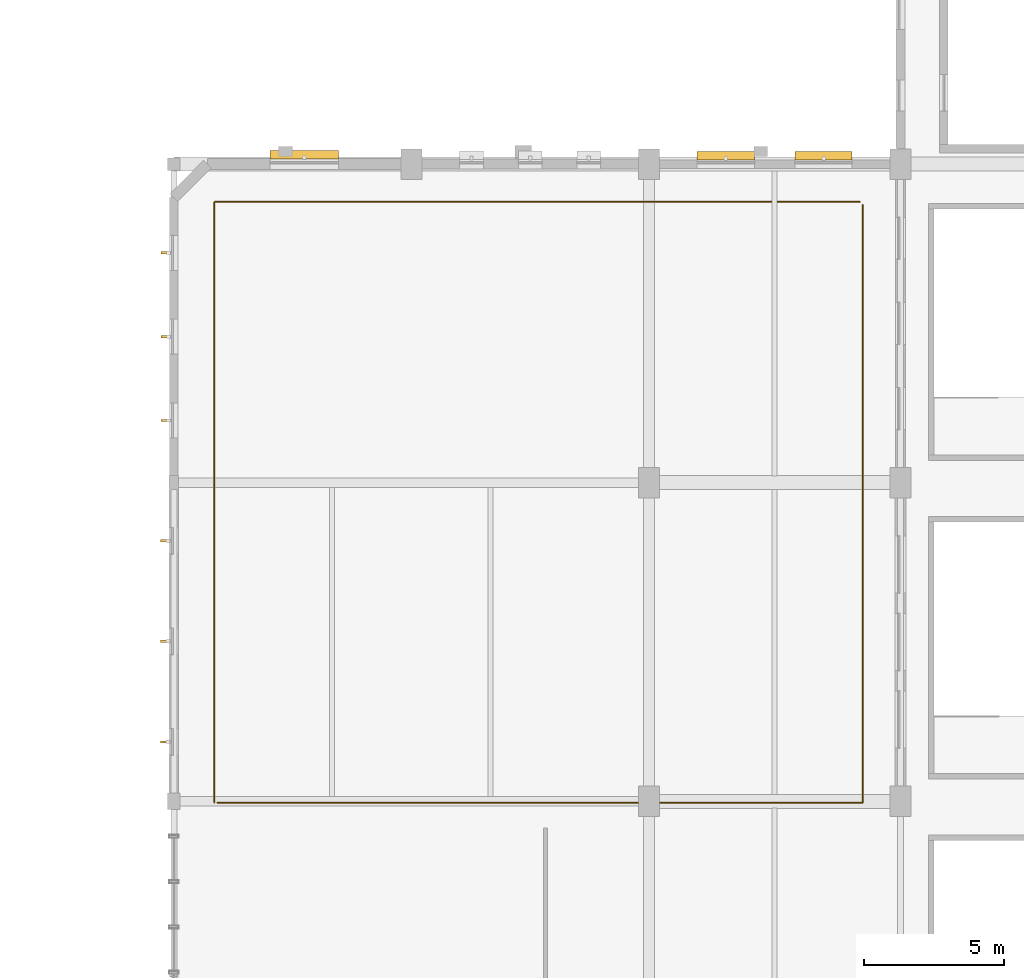
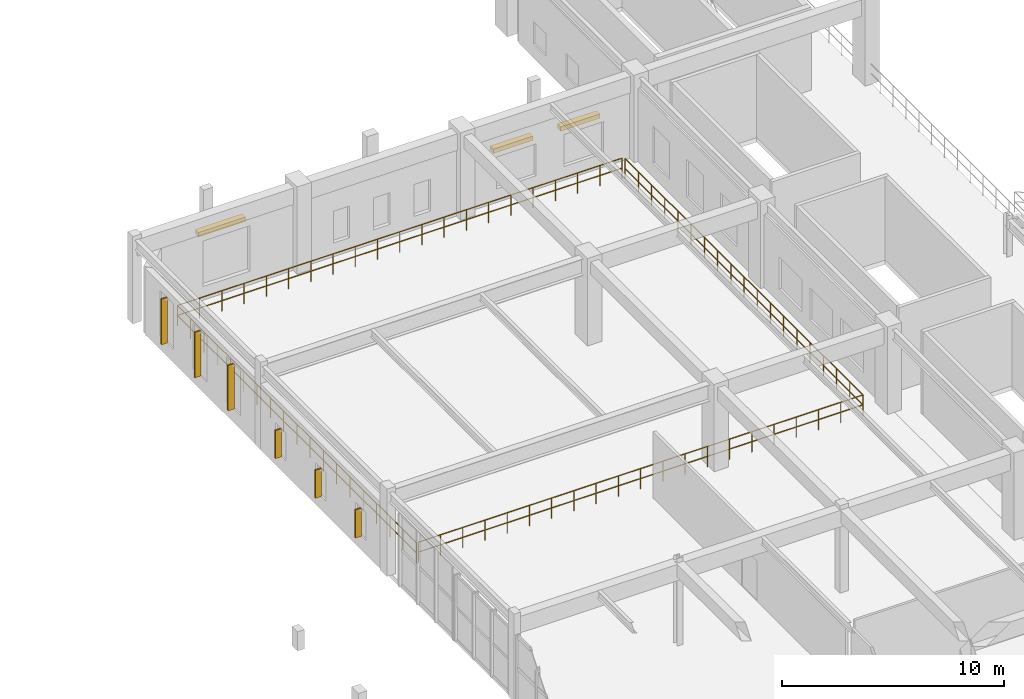
# One storey, part 101 of 106: 9 shading devices, 2 railings.
"""IFC4 building model written with IfcOpenShell, lengths in metres."""

from ifc_helpers import new_model, si_unit, direction, frame, origin, origin_2d, place, context, subcontext, project, spatial, rectangle, circle, extrude, material, layer, layer_set, type_object, element, save


model = new_model("IFC4")

# Units and contexts
model_context = context("Model", 3, precision=1e-05, world=origin(), true_north=direction((0.0, 1.0)))
body_context = subcontext(model_context, "Body", "Model", "MODEL_VIEW")
ifc_project = project(units=[si_unit("LENGTHUNIT", "METRE"), si_unit("AREAUNIT", "SQUARE_METRE"), si_unit("VOLUMEUNIT", "CUBIC_METRE"), si_unit("PLANEANGLEUNIT", "RADIAN"), si_unit("MASSUNIT", "GRAM", prefix="KILO"), si_unit("POWERUNIT", "WATT"), si_unit("THERMODYNAMICTEMPERATUREUNIT", "KELVIN")], contexts=[model_context])

# Site, building, storey
site_placement = place(None, origin())
site = spatial("IfcSite", under=ifc_project, at=site_placement, CompositionType="ELEMENT")
building_placement = place(site_placement, origin())
building = spatial("IfcBuilding", under=site, at=building_placement, Name="Kelmbourne Parkland Aquatics Centre", CompositionType="ELEMENT")
storey_placement = place(building_placement, frame((0.0, 0.0, 5.39990234375)))
storey = spatial("IfcBuildingStorey", under=building, at=storey_placement, Name="L01", CompositionType="ELEMENT", Elevation=5.39990234375)

# Railings
ifc_material_1 = material(Name="Grade 316 stainless steel and laminated glass balustrade", Category="glass")
ifc_layer = layer(ifc_material_1, 0.06005859375)
ifc_layer_set = layer_set([ifc_layer], Name="Grade 316 stainless steel and laminated glass balustrade")
railing_type = type_object("IfcRailingType", Name="RL-BL-114", PredefinedType="BALUSTRADE", material=ifc_layer_set)
railing_1_placement = place(storey_placement, frame((103.449951171875, 80.550048828125, 0.0)))
element("IfcRailing", 1, at=railing_1_placement, inside=storey, type_object=railing_type, Name="Safety balustrade BAL-L01-V4-POOL1", PredefinedType="BALUSTRADE", context=body_context, shape_type="SweptSolid", body=[
    extrude(circle(Radius=0.02392578125, at=origin_2d()), frame((0.0, 0.0, 1.11572265625), z_axis=(0.0, 1.0, 0.0), x_axis=(-1.0, 0.0, 0.0)), (0.0, 0.0, 1.0), 21.5),
    extrude(circle(Radius=0.02392578125, at=origin_2d()), frame((0.0, 0.0, 0.56982421875), z_axis=(0.0, 1.0, 0.0), x_axis=(-1.0, 0.0, 0.0)), (0.0, 0.0, 1.0), 21.5),
    extrude(circle(Radius=0.02392578125, at=origin_2d()), frame((0.0, 21.5, 1.11572265625), z_axis=(1.0, 0.0, 0.0), x_axis=(0.0, 1.0, 0.0)), (0.0, 0.0, 1.0), 23.10009765625),
    extrude(circle(Radius=0.02392578125, at=origin_2d()), frame((0.0, 21.5, 0.56982421875), z_axis=(1.0, 0.0, 0.0), x_axis=(0.0, 1.0, 0.0)), (0.0, 0.0, 1.0), 23.10009765625),
    extrude(circle(Radius=0.02099609375, at=origin_2d()), origin(), (0.0, 0.0, 1.0), 1.091796875),
    extrude(circle(Radius=0.02099609375, at=origin_2d()), frame((0.0, 1.1943359375, 0.0)), (0.0, 0.0, 1.0), 1.091796875),
    extrude(circle(Radius=0.02099609375, at=origin_2d()), frame((0.0, 2.388916015625, 0.0)), (0.0, 0.0, 1.0), 1.091796875),
    extrude(circle(Radius=0.02099609375, at=origin_2d()), frame((0.0, 3.583251953125, 0.0)), (0.0, 0.0, 1.0), 1.091796875),
    extrude(circle(Radius=0.02099609375, at=origin_2d()), frame((0.0, 4.77783203125, 0.0)), (0.0, 0.0, 1.0), 1.091796875),
    extrude(circle(Radius=0.02099609375, at=origin_2d()), frame((0.0, 5.97216796875, 0.0)), (0.0, 0.0, 1.0), 1.091796875),
    extrude(circle(Radius=0.02099609375, at=origin_2d()), frame((0.0, 7.166748046875, 0.0)), (0.0, 0.0, 1.0), 1.091796875),
    extrude(circle(Radius=0.02099609375, at=origin_2d()), frame((0.0, 8.361083984375, 0.0)), (0.0, 0.0, 1.0), 1.091796875),
    extrude(circle(Radius=0.02099609375, at=origin_2d()), frame((0.0, 9.5556640625, 0.0)), (0.0, 0.0, 1.0), 1.091796875),
    extrude(circle(Radius=0.02099609375, at=origin_2d()), frame((0.0, 10.75, 0.0)), (0.0, 0.0, 1.0), 1.091796875),
    extrude(circle(Radius=0.02099609375, at=origin_2d()), frame((0.0, 11.9443359375, 0.0)), (0.0, 0.0, 1.0), 1.091796875),
    extrude(circle(Radius=0.02099609375, at=origin_2d()), frame((0.0, 13.138916015625, 0.0)), (0.0, 0.0, 1.0), 1.091796875),
    extrude(circle(Radius=0.02099609375, at=origin_2d()), frame((0.0, 14.333251953125, 0.0)), (0.0, 0.0, 1.0), 1.091796875),
    extrude(circle(Radius=0.02099609375, at=origin_2d()), frame((0.0, 15.52783203125, 0.0)), (0.0, 0.0, 1.0), 1.091796875),
    extrude(circle(Radius=0.02099609375, at=origin_2d()), frame((0.0, 16.72216796875, 0.0)), (0.0, 0.0, 1.0), 1.091796875),
    extrude(circle(Radius=0.02099609375, at=origin_2d()), frame((0.0, 17.916748046875, 0.0)), (0.0, 0.0, 1.0), 1.091796875),
    extrude(circle(Radius=0.02099609375, at=origin_2d()), frame((0.0, 19.111083984375, 0.0)), (0.0, 0.0, 1.0), 1.091796875),
    extrude(circle(Radius=0.02099609375, at=origin_2d()), frame((0.0, 20.3056640625, 0.0)), (0.0, 0.0, 1.0), 1.091796875),
    extrude(circle(Radius=0.02099609375, at=origin_2d()), frame((0.0, 21.5, 0.0)), (0.0, 0.0, 1.0), 1.091796875),
    extrude(circle(Radius=0.02099609375, at=origin_2d()), frame((1.155029296875, 21.5, 0.0)), (0.0, 0.0, 1.0), 1.091796875),
    extrude(circle(Radius=0.02099609375, at=origin_2d()), frame((2.31005859375, 21.5, 0.0)), (0.0, 0.0, 1.0), 1.091796875),
    extrude(circle(Radius=0.02099609375, at=origin_2d()), frame((3.465087890625, 21.5, 0.0)), (0.0, 0.0, 1.0), 1.091796875),
    extrude(circle(Radius=0.02099609375, at=origin_2d()), frame((4.6201171875, 21.5, 0.0)), (0.0, 0.0, 1.0), 1.091796875),
    extrude(circle(Radius=0.02099609375, at=origin_2d()), frame((5.77490234375, 21.5, 0.0)), (0.0, 0.0, 1.0), 1.091796875),
    extrude(circle(Radius=0.02099609375, at=origin_2d()), frame((6.929931640625, 21.5, 0.0)), (0.0, 0.0, 1.0), 1.091796875),
    extrude(circle(Radius=0.02099609375, at=origin_2d()), frame((8.0849609375, 21.5, 0.0)), (0.0, 0.0, 1.0), 1.091796875),
    extrude(circle(Radius=0.02099609375, at=origin_2d()), frame((9.239990234375, 21.5, 0.0)), (0.0, 0.0, 1.0), 1.091796875),
    extrude(circle(Radius=0.02099609375, at=origin_2d()), frame((10.39501953125, 21.5, 0.0)), (0.0, 0.0, 1.0), 1.091796875),
    extrude(circle(Radius=0.02099609375, at=origin_2d()), frame((11.550048828125, 21.5, 0.0)), (0.0, 0.0, 1.0), 1.091796875),
    extrude(circle(Radius=0.02099609375, at=origin_2d()), frame((12.705078125, 21.5, 0.0)), (0.0, 0.0, 1.0), 1.091796875),
    extrude(circle(Radius=0.02099609375, at=origin_2d()), frame((13.860107421875, 21.5, 0.0)), (0.0, 0.0, 1.0), 1.091796875),
    extrude(circle(Radius=0.02099609375, at=origin_2d()), frame((15.01513671875, 21.5, 0.0)), (0.0, 0.0, 1.0), 1.091796875),
    extrude(circle(Radius=0.02099609375, at=origin_2d()), frame((16.170166015625, 21.5, 0.0)), (0.0, 0.0, 1.0), 1.091796875),
    extrude(circle(Radius=0.02099609375, at=origin_2d()), frame((17.3251953125, 21.5, 0.0)), (0.0, 0.0, 1.0), 1.091796875),
    extrude(circle(Radius=0.02099609375, at=origin_2d()), frame((18.47998046875, 21.5, 0.0)), (0.0, 0.0, 1.0), 1.091796875),
    extrude(circle(Radius=0.02099609375, at=origin_2d()), frame((19.635009765625, 21.5, 0.0)), (0.0, 0.0, 1.0), 1.091796875),
    extrude(circle(Radius=0.02099609375, at=origin_2d()), frame((20.7900390625, 21.5, 0.0)), (0.0, 0.0, 1.0), 1.091796875),
    extrude(circle(Radius=0.02099609375, at=origin_2d()), frame((21.945068359375, 21.5, 0.0)), (0.0, 0.0, 1.0), 1.091796875),
    extrude(circle(Radius=0.02099609375, at=origin_2d()), frame((23.10009765625, 21.5, 0.0)), (0.0, 0.0, 1.0), 1.091796875),
])
railing_2_placement = place(storey_placement, frame((126.64990234375, 101.949951171875, 0.0)))
element("IfcRailing", 2, at=railing_2_placement, inside=storey, type_object=railing_type, Name="Safety balustrade BAL-L01-V4-POOL2", PredefinedType="BALUSTRADE", context=body_context, shape_type="SweptSolid", body=[
    extrude(circle(Radius=0.02392578125, at=origin_2d()), frame((0.0, 0.0, 1.11572265625), z_axis=(0.0, -1.0, 0.0), x_axis=(1.0, 0.0, 0.0)), (0.0, 0.0, 1.0), 21.39990234375),
    extrude(circle(Radius=0.02392578125, at=origin_2d()), frame((0.0, 0.0, 0.56982421875), z_axis=(0.0, -1.0, 0.0), x_axis=(1.0, 0.0, 0.0)), (0.0, 0.0, 1.0), 21.39990234375),
    extrude(circle(Radius=0.02392578125, at=origin_2d()), frame((0.0, -21.39990234375, 1.11572265625), z_axis=(-1.0, 0.0, 0.0), x_axis=(0.0, -1.0, 0.0)), (0.0, 0.0, 1.0), 23.099853515625),
    extrude(circle(Radius=0.02392578125, at=origin_2d()), frame((0.0, -21.39990234375, 0.56982421875), z_axis=(-1.0, 0.0, 0.0), x_axis=(0.0, -1.0, 0.0)), (0.0, 0.0, 1.0), 23.099853515625),
    extrude(circle(Radius=0.02099609375, at=origin_2d()), origin(), (0.0, 0.0, 1.0), 1.091796875),
    extrude(circle(Radius=0.02099609375, at=origin_2d()), frame((0.0, -1.18896484375, 0.0)), (0.0, 0.0, 1.0), 1.091796875),
    extrude(circle(Radius=0.02099609375, at=origin_2d()), frame((0.0, -2.377685546875, 0.0)), (0.0, 0.0, 1.0), 1.091796875),
    extrude(circle(Radius=0.02099609375, at=origin_2d()), frame((0.0, -3.566650390625, 0.0)), (0.0, 0.0, 1.0), 1.091796875),
    extrude(circle(Radius=0.02099609375, at=origin_2d()), frame((0.0, -4.755615234375, 0.0)), (0.0, 0.0, 1.0), 1.091796875),
    extrude(circle(Radius=0.02099609375, at=origin_2d()), frame((0.0, -5.9443359375, 0.0)), (0.0, 0.0, 1.0), 1.091796875),
    extrude(circle(Radius=0.02099609375, at=origin_2d()), frame((0.0, -7.13330078125, 0.0)), (0.0, 0.0, 1.0), 1.091796875),
    extrude(circle(Radius=0.02099609375, at=origin_2d()), frame((0.0, -8.322265625, 0.0)), (0.0, 0.0, 1.0), 1.091796875),
    extrude(circle(Radius=0.02099609375, at=origin_2d()), frame((0.0, -9.510986328125, 0.0)), (0.0, 0.0, 1.0), 1.091796875),
    extrude(circle(Radius=0.02099609375, at=origin_2d()), frame((0.0, -10.699951171875, 0.0)), (0.0, 0.0, 1.0), 1.091796875),
    extrude(circle(Radius=0.02099609375, at=origin_2d()), frame((0.0, -11.888916015625, 0.0)), (0.0, 0.0, 1.0), 1.091796875),
    extrude(circle(Radius=0.02099609375, at=origin_2d()), frame((0.0, -13.07763671875, 0.0)), (0.0, 0.0, 1.0), 1.091796875),
    extrude(circle(Radius=0.02099609375, at=origin_2d()), frame((0.0, -14.2666015625, 0.0)), (0.0, 0.0, 1.0), 1.091796875),
    extrude(circle(Radius=0.02099609375, at=origin_2d()), frame((0.0, -15.45556640625, 0.0)), (0.0, 0.0, 1.0), 1.091796875),
    extrude(circle(Radius=0.02099609375, at=origin_2d()), frame((0.0, -16.644287109375, 0.0)), (0.0, 0.0, 1.0), 1.091796875),
    extrude(circle(Radius=0.02099609375, at=origin_2d()), frame((0.0, -17.833251953125, 0.0)), (0.0, 0.0, 1.0), 1.091796875),
    extrude(circle(Radius=0.02099609375, at=origin_2d()), frame((0.0, -19.022216796875, 0.0)), (0.0, 0.0, 1.0), 1.091796875),
    extrude(circle(Radius=0.02099609375, at=origin_2d()), frame((0.0, -20.2109375, 0.0)), (0.0, 0.0, 1.0), 1.091796875),
    extrude(circle(Radius=0.02099609375, at=origin_2d()), frame((0.0, -21.39990234375, 0.0)), (0.0, 0.0, 1.0), 1.091796875),
    extrude(circle(Radius=0.02099609375, at=origin_2d()), frame((-1.155029296875, -21.39990234375, 0.0)), (0.0, 0.0, 1.0), 1.091796875),
    extrude(circle(Radius=0.02099609375, at=origin_2d()), frame((-2.31005859375, -21.39990234375, 0.0)), (0.0, 0.0, 1.0), 1.091796875),
    extrude(circle(Radius=0.02099609375, at=origin_2d()), frame((-3.465087890625, -21.39990234375, 0.0)), (0.0, 0.0, 1.0), 1.091796875),
    extrude(circle(Radius=0.02099609375, at=origin_2d()), frame((-4.619873046875, -21.39990234375, 0.0)), (0.0, 0.0, 1.0), 1.091796875),
    extrude(circle(Radius=0.02099609375, at=origin_2d()), frame((-5.77490234375, -21.39990234375, 0.0)), (0.0, 0.0, 1.0), 1.091796875),
    extrude(circle(Radius=0.02099609375, at=origin_2d()), frame((-6.929931640625, -21.39990234375, 0.0)), (0.0, 0.0, 1.0), 1.091796875),
    extrude(circle(Radius=0.02099609375, at=origin_2d()), frame((-8.0849609375, -21.39990234375, 0.0)), (0.0, 0.0, 1.0), 1.091796875),
    extrude(circle(Radius=0.02099609375, at=origin_2d()), frame((-9.239990234375, -21.39990234375, 0.0)), (0.0, 0.0, 1.0), 1.091796875),
    extrude(circle(Radius=0.02099609375, at=origin_2d()), frame((-10.39501953125, -21.39990234375, 0.0)), (0.0, 0.0, 1.0), 1.091796875),
    extrude(circle(Radius=0.02099609375, at=origin_2d()), frame((-11.5498046875, -21.39990234375, 0.0)), (0.0, 0.0, 1.0), 1.091796875),
    extrude(circle(Radius=0.02099609375, at=origin_2d()), frame((-12.704833984375, -21.39990234375, 0.0)), (0.0, 0.0, 1.0), 1.091796875),
    extrude(circle(Radius=0.02099609375, at=origin_2d()), frame((-13.85986328125, -21.39990234375, 0.0)), (0.0, 0.0, 1.0), 1.091796875),
    extrude(circle(Radius=0.02099609375, at=origin_2d()), frame((-15.014892578125, -21.39990234375, 0.0)), (0.0, 0.0, 1.0), 1.091796875),
    extrude(circle(Radius=0.02099609375, at=origin_2d()), frame((-16.169921875, -21.39990234375, 0.0)), (0.0, 0.0, 1.0), 1.091796875),
    extrude(circle(Radius=0.02099609375, at=origin_2d()), frame((-17.324951171875, -21.39990234375, 0.0)), (0.0, 0.0, 1.0), 1.091796875),
    extrude(circle(Radius=0.02099609375, at=origin_2d()), frame((-18.47998046875, -21.39990234375, 0.0)), (0.0, 0.0, 1.0), 1.091796875),
    extrude(circle(Radius=0.02099609375, at=origin_2d()), frame((-19.634765625, -21.39990234375, 0.0)), (0.0, 0.0, 1.0), 1.091796875),
    extrude(circle(Radius=0.02099609375, at=origin_2d()), frame((-20.789794921875, -21.39990234375, 0.0)), (0.0, 0.0, 1.0), 1.091796875),
    extrude(circle(Radius=0.02099609375, at=origin_2d()), frame((-21.94482421875, -21.39990234375, 0.0)), (0.0, 0.0, 1.0), 1.091796875),
    extrude(circle(Radius=0.02099609375, at=origin_2d()), frame((-23.099853515625, -21.39990234375, 0.0)), (0.0, 0.0, 1.0), 1.091796875),
])

# Shading devices
ifc_material_2 = material(Name="Architectural extruded terracotta baguettes", Category="masonry")
shading_device_type_1 = type_object("IfcShadingDeviceType", Name="SHD-FIN-1", PredefinedType="USERDEFINED", material=ifc_material_2)
for number, where, z_axis, x_axis, name in (
    (3, (101.68505859375, 82.72705078125, 0.75), (0.0, 0.0, 1.0), (0.0, 1.0, 0.0), "Terracotta vertical solar fin 116"),
    (4, (101.68505859375, 86.324951171875, 0.75), (0.0, 0.0, 1.0), (0.0, 1.0, 0.0), "Terracotta vertical solar fin 117"),
    (5, (101.68505859375, 89.923095703125, 0.75), (0.0, 0.0, 1.0), (0.0, 1.0, 0.0), "Terracotta vertical solar fin 118"),
):
    element("IfcShadingDevice", number, at=place(storey_placement, frame(where, z_axis=z_axis, x_axis=x_axis)), inside=storey, type_object=shading_device_type_1, Name=name, ObjectType="SOLAR FIN", PredefinedType="USERDEFINED", context=body_context, shape_type="SweptSolid", body=[
        extrude(rectangle(XDim=0.080078125, YDim=0.320068359375, at=origin_2d()), origin(), (0.0, 0.0, 1.0), 1.550048828125),
    ])
for number, where, z_axis, x_axis, name in (
    (6, (101.705078125, 94.22705078125, 0.75), (0.0, 0.0, 1.0), (0.0, 1.0, 0.0), "Terracotta vertical solar fin 119"),
    (7, (101.705078125, 97.22607421875, 0.75), (0.0, 0.0, 1.0), (0.0, 1.0, 0.0), "Terracotta vertical solar fin 120"),
    (8, (101.705078125, 100.22509765625, 0.75), (0.0, 0.0, 1.0), (0.0, 1.0, 0.0), "Terracotta vertical solar fin 121"),
):
    element("IfcShadingDevice", number, at=place(storey_placement, frame(where, z_axis=z_axis, x_axis=x_axis)), inside=storey, type_object=shading_device_type_1, Name=name, ObjectType="SOLAR FIN", PredefinedType="USERDEFINED", context=body_context, shape_type="SweptSolid", body=[
        extrude(rectangle(XDim=0.080078125, YDim=0.320068359375, at=origin_2d()), origin(), (0.0, 0.0, 1.0), 2.5),
    ])
shading_device_type_2 = type_object("IfcShadingDeviceType", Name="SHD-JAL-1", PredefinedType="JALOUSIE", material=ifc_material_2)
shading_device_placement = place(storey_placement, frame((106.66162109375, 103.735107421875, 3.25), z_axis=(0.0, 0.0, 1.0), x_axis=(1.0, 0.0, 0.0)))
element("IfcShadingDevice", 9, at=shading_device_placement, inside=storey, type_object=shading_device_type_2, Name="Terracotta horizontal jalousie hood 122", PredefinedType="JALOUSIE", context=body_context, shape_type="SweptSolid", body=[
    extrude(rectangle(XDim=2.449951171875, YDim=0.300048828125, at=origin_2d()), origin(), (0.0, 0.0, 1.0), 0.239990234375),
])
for number, where, z_axis, x_axis, name in (
    (10, (121.751953125, 103.695068359375, 2.5), (0.0, 0.0, 1.0), (1.0, 0.0, 0.0), "Terracotta horizontal jalousie hood 126"),
    (11, (125.248046875, 103.695068359375, 2.5), (0.0, 0.0, 1.0), (1.0, 0.0, 0.0), "Terracotta horizontal jalousie hood 127"),
):
    element("IfcShadingDevice", number, at=place(storey_placement, frame(where, z_axis=z_axis, x_axis=x_axis)), inside=storey, type_object=shading_device_type_2, Name=name, PredefinedType="JALOUSIE", context=body_context, shape_type="SweptSolid", body=[
        extrude(rectangle(XDim=2.050048828125, YDim=0.300048828125, at=origin_2d()), origin(), (0.0, 0.0, 1.0), 0.239990234375),
    ])

save(model, "model.ifc")
